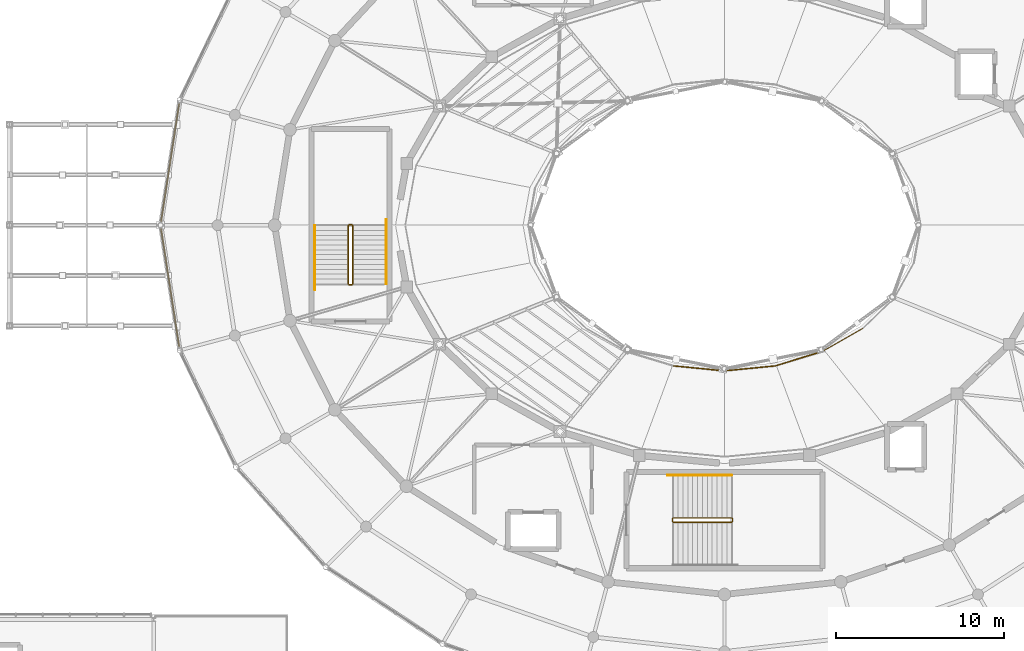
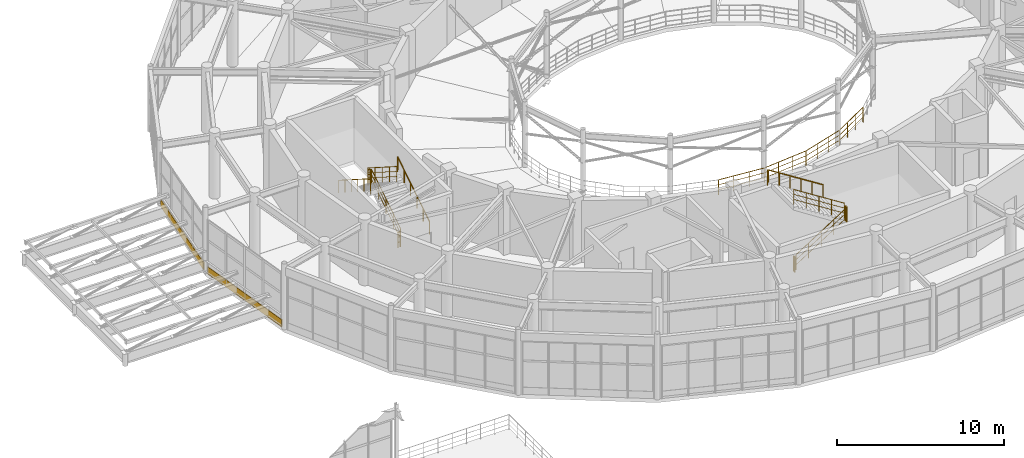
# One storey, part 134 of 144: 15 railings, 2 coverings.
"""IFC4 building model written with IfcOpenShell, lengths in metres."""

from ifc_helpers import new_model, si_unit, direction, frame, origin, origin_2d, place, context, subcontext, project, spatial, rectangle, circle, extrude, material, layer, layer_set, type_object, element, save


model = new_model("IFC4")

# Units and contexts
model_context = context("Model", 3, precision=1e-05, world=origin(), true_north=direction((0.0, 1.0)))
body_context = subcontext(model_context, "Body", "Model", "MODEL_VIEW")
ifc_project = project(units=[si_unit("LENGTHUNIT", "METRE"), si_unit("AREAUNIT", "SQUARE_METRE"), si_unit("VOLUMEUNIT", "CUBIC_METRE"), si_unit("PLANEANGLEUNIT", "RADIAN"), si_unit("MASSUNIT", "GRAM", prefix="KILO")], contexts=[model_context])

# Site, building, storey
site_placement = place(None, origin())
site = spatial("IfcSite", under=ifc_project, at=site_placement, CompositionType="ELEMENT")
building_placement = place(site_placement, origin())
building = spatial("IfcBuilding", under=site, at=building_placement, Name="Cinderbank Siding Concert Hall", CompositionType="ELEMENT")
storey_placement = place(building_placement, frame((0.0, 0.0, 5.39990234375)))
storey = spatial("IfcBuildingStorey", under=building, at=storey_placement, Name="L02", CompositionType="ELEMENT", Elevation=5.39990234375)

# Railings
ifc_material_1 = material(Name="Spotted gum glulam timber GL18 (42 MPa)", Category="wood")
railing_type_1 = type_object("IfcRailingType", Name="BAL-01 Auditorium Tier Balustrade 1120mm", PredefinedType="BALUSTRADE", material=ifc_material_1)
railing_1_placement = place(storey_placement, frame((118.97705078125, 35.61572265625, 0.0)))
element("IfcRailing", 1, at=railing_1_placement, inside=storey, type_object=railing_type_1, Name="L02 Auditorium Circle Balustrade 18", PredefinedType="BALUSTRADE", context=body_context, shape_type="SweptSolid", body=[
    extrude(circle(Radius=0.02392578125, at=origin_2d()), frame((0.0, 0.0, 1.09619140625), z_axis=(0.995251301544, -0.097338824598, 0.0), x_axis=(0.097338824598, 0.995251301544, 0.0)), (0.0, 0.0, 1.0), 3.037353515625),
    extrude(circle(Radius=0.01611328125, at=origin_2d()), frame((0.0, 0.0, 0.36962890625), z_axis=(0.995251301544, -0.097338824598, 0.0), x_axis=(0.097338824598, 0.995251301544, 0.0)), (0.0, 0.0, 1.0), 3.037353515625),
    extrude(circle(Radius=0.01611328125, at=origin_2d()), frame((0.0, 0.0, 0.7392578125), z_axis=(0.995251301544, -0.097338824598, 0.0), x_axis=(0.097338824598, 0.995251301544, 0.0)), (0.0, 0.0, 1.0), 3.037353515625),
    extrude(circle(Radius=0.02099609375, at=origin_2d()), origin(), (0.0, 0.0, 1.0), 1.072021484375),
    extrude(circle(Radius=0.02099609375, at=origin_2d()), frame((1.007568359375, -0.0986328125, 0.0)), (0.0, 0.0, 1.0), 1.072021484375),
    extrude(circle(Radius=0.02099609375, at=origin_2d()), frame((2.015380859375, -0.197021484375, 0.0)), (0.0, 0.0, 1.0), 1.072021484375),
    extrude(circle(Radius=0.02099609375, at=origin_2d()), frame((3.02294921875, -0.295654296875, 0.0)), (0.0, 0.0, 1.0), 1.072021484375),
])
railing_2_placement = place(storey_placement, frame((122.0, 35.320068359375, 0.0)))
element("IfcRailing", 2, at=railing_2_placement, inside=storey, type_object=railing_type_1, Name="L02 Auditorium Circle Balustrade 19", PredefinedType="BALUSTRADE", context=body_context, shape_type="SweptSolid", body=[
    extrude(circle(Radius=0.02392578125, at=origin_2d()), frame((0.0, 0.0, 1.09619140625), z_axis=(0.995251301544, 0.097338824598, 0.0), x_axis=(-0.097338824598, 0.995251301544, 0.0)), (0.0, 0.0, 1.0), 3.037353515625),
    extrude(circle(Radius=0.01611328125, at=origin_2d()), frame((0.0, 0.0, 0.36962890625), z_axis=(0.995251301544, 0.097338824598, 0.0), x_axis=(-0.097338824598, 0.995251301544, 0.0)), (0.0, 0.0, 1.0), 3.037353515625),
    extrude(circle(Radius=0.01611328125, at=origin_2d()), frame((0.0, 0.0, 0.7392578125), z_axis=(0.995251301544, 0.097338824598, 0.0), x_axis=(-0.097338824598, 0.995251301544, 0.0)), (0.0, 0.0, 1.0), 3.037353515625),
    extrude(circle(Radius=0.02099609375, at=origin_2d()), origin(), (0.0, 0.0, 1.0), 1.072021484375),
    extrude(circle(Radius=0.02099609375, at=origin_2d()), frame((1.007568359375, 0.0986328125, 0.0)), (0.0, 0.0, 1.0), 1.072021484375),
    extrude(circle(Radius=0.02099609375, at=origin_2d()), frame((2.015380859375, 0.197021484375, 0.0)), (0.0, 0.0, 1.0), 1.072021484375),
    extrude(circle(Radius=0.02099609375, at=origin_2d()), frame((3.02294921875, 0.295654296875, 0.0)), (0.0, 0.0, 1.0), 1.072021484375),
])
railing_3_placement = place(storey_placement, frame((125.02294921875, 35.61572265625, 0.0)))
element("IfcRailing", 3, at=railing_3_placement, inside=storey, type_object=railing_type_1, Name="L02 Auditorium Circle Balustrade 20", PredefinedType="BALUSTRADE", context=body_context, shape_type="SweptSolid", body=[
    extrude(circle(Radius=0.02392578125, at=origin_2d()), frame((0.0, 0.0, 1.09619140625), z_axis=(0.955743184461, 0.294202252466, 0.0), x_axis=(-0.294202252466, 0.955743184461, 0.0)), (0.0, 0.0, 1.0), 2.947509765625),
    extrude(circle(Radius=0.01611328125, at=origin_2d()), frame((0.0, 0.0, 0.36962890625), z_axis=(0.955743184461, 0.294202252466, 0.0), x_axis=(-0.294202252466, 0.955743184461, 0.0)), (0.0, 0.0, 1.0), 2.947509765625),
    extrude(circle(Radius=0.01611328125, at=origin_2d()), frame((0.0, 0.0, 0.7392578125), z_axis=(0.955743184461, 0.294202252466, 0.0), x_axis=(-0.294202252466, 0.955743184461, 0.0)), (0.0, 0.0, 1.0), 2.947509765625),
    extrude(circle(Radius=0.02099609375, at=origin_2d()), origin(), (0.0, 0.0, 1.0), 1.072021484375),
    extrude(circle(Radius=0.02099609375, at=origin_2d()), frame((0.93896484375, 0.2890625, 0.0)), (0.0, 0.0, 1.0), 1.072021484375),
    extrude(circle(Radius=0.02099609375, at=origin_2d()), frame((1.878173828125, 0.578125, 0.0)), (0.0, 0.0, 1.0), 1.072021484375),
    extrude(circle(Radius=0.02099609375, at=origin_2d()), frame((2.817138671875, 0.8671875, 0.0)), (0.0, 0.0, 1.0), 1.072021484375),
])
railing_4_placement = place(storey_placement, frame((127.840087890625, 36.48291015625, 0.0)))
element("IfcRailing", 4, at=railing_4_placement, inside=storey, type_object=railing_type_1, Name="L02 Auditorium Circle Balustrade 21", PredefinedType="BALUSTRADE", context=body_context, shape_type="SweptSolid", body=[
    extrude(circle(Radius=0.02392578125, at=origin_2d()), frame((0.0, 0.0, 1.09619140625), z_axis=(0.868685219128, 0.495364502228, 0.0), x_axis=(-0.495364502228, 0.868685219128, 0.0)), (0.0, 0.0, 1.0), 2.78466796875),
    extrude(circle(Radius=0.01611328125, at=origin_2d()), frame((0.0, 0.0, 0.36962890625), z_axis=(0.868685219128, 0.495364502228, 0.0), x_axis=(-0.495364502228, 0.868685219128, 0.0)), (0.0, 0.0, 1.0), 2.78466796875),
    extrude(circle(Radius=0.01611328125, at=origin_2d()), frame((0.0, 0.0, 0.7392578125), z_axis=(0.868685219128, 0.495364502228, 0.0), x_axis=(-0.495364502228, 0.868685219128, 0.0)), (0.0, 0.0, 1.0), 2.78466796875),
    extrude(circle(Radius=0.02099609375, at=origin_2d()), origin(), (0.0, 0.0, 1.0), 1.072021484375),
    extrude(circle(Radius=0.02099609375, at=origin_2d()), frame((0.806396484375, 0.459716796875, 0.0)), (0.0, 0.0, 1.0), 1.072021484375),
    extrude(circle(Radius=0.02099609375, at=origin_2d()), frame((1.612548828125, 0.919677734375, 0.0)), (0.0, 0.0, 1.0), 1.072021484375),
    extrude(circle(Radius=0.02099609375, at=origin_2d()), frame((2.4189453125, 1.37939453125, 0.0)), (0.0, 0.0, 1.0), 1.072021484375),
])

# Coverings
ifc_layer = layer(ifc_material_1, 0.06494140625)
ifc_layer_set = layer_set([ifc_layer], Name="Spotted gum glulam timber GL18 (42 MPa)")
covering_type = type_object("IfcCoveringType", Name="CL-01 Spotted Gum Spandrel Band 520mm", PredefinedType="CLADDING", material=ifc_layer_set)
for number, where, z_axis, x_axis, name in (
    (5, (88.972412109375, 47.72705078125, 0.0), (0.0, 0.0, 1.0), (-0.151815048473, -0.988408918949, 0.0), "CW-L02-012 Spotted Gum Spandrel Band"),
    (6, (88.972412109375, 40.27294921875, 0.0), (0.0, 0.0, 1.0), (0.151815048473, -0.988408918949, 0.0), "CW-L02-013 Spotted Gum Spandrel Band"),
):
    element("IfcCovering", number, at=place(storey_placement, frame(where, z_axis=z_axis, x_axis=x_axis)), inside=storey, type_object=covering_type, Name=name, PredefinedType="CLADDING", context=body_context, shape_type="SweptSolid", body=[
        extrude(rectangle(XDim=7.08740234375, YDim=0.06494140625, at=origin_2d()), origin(), (0.0, 0.0, 1.0), 0.52001953125),
    ])

# Railings
ifc_material_2 = material(Name="Structural steel AS/NZS 3679.1 Grade 350 (340 MPa)", Category="steel")
railing_type_2 = type_object("IfcRailingType", Name="STG-01 Stair Well Guardrail 1120mm", PredefinedType="GUARDRAIL", material=ifc_material_2)
railing_5_placement = place(storey_placement, frame((118.949951171875, 26.300048828125, 0.184814453125)))
element("IfcRailing", 7, at=railing_5_placement, inside=storey, type_object=railing_type_2, Name="L02 ST-02 stair guard 1", PredefinedType="GUARDRAIL", context=body_context, shape_type="SweptSolid", body=[
    extrude(circle(Radius=0.02392578125, at=origin_2d()), frame((0.0, 0.0, 1.09619140625), z_axis=(0.843573748531, 0.0, 0.537013343214), x_axis=(0.0, 1.0, 0.0)), (0.0, 0.0, 1.0), 4.125244140625),
    extrude(circle(Radius=0.01611328125, at=origin_2d()), frame((0.0, 0.0, 0.36962890625), z_axis=(0.843573748531, 0.0, 0.537013343214), x_axis=(0.0, 1.0, 0.0)), (0.0, 0.0, 1.0), 4.125244140625),
    extrude(circle(Radius=0.01611328125, at=origin_2d()), frame((0.0, 0.0, 0.7392578125), z_axis=(0.843573748531, 0.0, 0.537013343214), x_axis=(0.0, 1.0, 0.0)), (0.0, 0.0, 1.0), 4.125244140625),
    extrude(circle(Radius=0.02099609375, at=origin_2d()), origin(), (0.0, 0.0, 1.0), 1.072021484375),
    extrude(circle(Radius=0.02099609375, at=origin_2d()), frame((0.8701171875, 0.0, 0.5537109375)), (0.0, 0.0, 1.0), 1.072021484375),
    extrude(circle(Radius=0.02099609375, at=origin_2d()), frame((1.739990234375, 0.0, 1.107666015625)), (0.0, 0.0, 1.0), 1.072021484375),
    extrude(circle(Radius=0.02099609375, at=origin_2d()), frame((2.60986328125, 0.0, 1.66162109375)), (0.0, 0.0, 1.0), 1.072021484375),
    extrude(circle(Radius=0.02099609375, at=origin_2d()), frame((3.47998046875, 0.0, 2.21533203125)), (0.0, 0.0, 1.0), 1.072021484375),
])
railing_6_placement = place(storey_placement, frame((122.47998046875, 26.35009765625, 2.400146484375)))
element("IfcRailing", 8, at=railing_6_placement, inside=storey, type_object=railing_type_2, Name="L02 ST-02 stair guard 2", PredefinedType="GUARDRAIL", context=body_context, shape_type="SweptSolid", body=[
    extrude(circle(Radius=0.02392578125, at=origin_2d()), frame((0.0, 0.0, 1.09619140625), z_axis=(0.0, 1.0, 0.0), x_axis=(-1.0, 0.0, 0.0)), (0.0, 0.0, 1.0), 0.159912109375),
    extrude(circle(Radius=0.01611328125, at=origin_2d()), frame((0.0, 0.0, 0.36962890625), z_axis=(0.0, 1.0, 0.0), x_axis=(-1.0, 0.0, 0.0)), (0.0, 0.0, 1.0), 0.159912109375),
    extrude(circle(Radius=0.01611328125, at=origin_2d()), frame((0.0, 0.0, 0.7392578125), z_axis=(0.0, 1.0, 0.0), x_axis=(-1.0, 0.0, 0.0)), (0.0, 0.0, 1.0), 0.159912109375),
    extrude(circle(Radius=0.02099609375, at=origin_2d()), origin(), (0.0, 0.0, 1.0), 1.072021484375),
    extrude(circle(Radius=0.02099609375, at=origin_2d()), frame((0.0, 0.159912109375, 0.0)), (0.0, 0.0, 1.0), 1.072021484375),
])
railing_7_placement = place(storey_placement, frame((122.429931640625, 26.56005859375, 2.584716796875)))
element("IfcRailing", 9, at=railing_7_placement, inside=storey, type_object=railing_type_2, Name="L02 ST-02 stair guard 3", PredefinedType="GUARDRAIL", context=body_context, shape_type="SweptSolid", body=[
    extrude(circle(Radius=0.02392578125, at=origin_2d()), frame((0.0, 0.0, 1.09619140625), z_axis=(-0.843573748531, 0.0, 0.537013343214), x_axis=(0.0, -1.0, 0.0)), (0.0, 0.0, 1.0), 4.125244140625),
    extrude(circle(Radius=0.01611328125, at=origin_2d()), frame((0.0, 0.0, 0.36962890625), z_axis=(-0.843573748531, 0.0, 0.537013343214), x_axis=(0.0, -1.0, 0.0)), (0.0, 0.0, 1.0), 4.125244140625),
    extrude(circle(Radius=0.01611328125, at=origin_2d()), frame((0.0, 0.0, 0.7392578125), z_axis=(-0.843573748531, 0.0, 0.537013343214), x_axis=(0.0, -1.0, 0.0)), (0.0, 0.0, 1.0), 4.125244140625),
    extrude(circle(Radius=0.02099609375, at=origin_2d()), origin(), (0.0, 0.0, 1.0), 1.072021484375),
    extrude(circle(Radius=0.02099609375, at=origin_2d()), frame((-0.8701171875, 0.0, 0.5537109375)), (0.0, 0.0, 1.0), 1.072021484375),
    extrude(circle(Radius=0.02099609375, at=origin_2d()), frame((-1.739990234375, 0.0, 1.107666015625)), (0.0, 0.0, 1.0), 1.072021484375),
    extrude(circle(Radius=0.02099609375, at=origin_2d()), frame((-2.60986328125, 0.0, 1.66162109375)), (0.0, 0.0, 1.0), 1.072021484375),
    extrude(circle(Radius=0.02099609375, at=origin_2d()), frame((-3.47998046875, 0.0, 2.21533203125)), (0.0, 0.0, 1.0), 1.072021484375),
])
railing_8_placement = place(storey_placement, frame((118.89990234375, 26.35009765625, 0.0)))
element("IfcRailing", 10, at=railing_8_placement, inside=storey, type_object=railing_type_2, Name="L02 ST-02 stair guard 4", PredefinedType="GUARDRAIL", context=body_context, shape_type="SweptSolid", body=[
    extrude(circle(Radius=0.02392578125, at=origin_2d()), frame((0.0, 0.0, 1.09619140625), z_axis=(0.0, 1.0, 0.0), x_axis=(-1.0, 0.0, 0.0)), (0.0, 0.0, 1.0), 0.159912109375),
    extrude(circle(Radius=0.01611328125, at=origin_2d()), frame((0.0, 0.0, 0.36962890625), z_axis=(0.0, 1.0, 0.0), x_axis=(-1.0, 0.0, 0.0)), (0.0, 0.0, 1.0), 0.159912109375),
    extrude(circle(Radius=0.01611328125, at=origin_2d()), frame((0.0, 0.0, 0.7392578125), z_axis=(0.0, 1.0, 0.0), x_axis=(-1.0, 0.0, 0.0)), (0.0, 0.0, 1.0), 0.159912109375),
    extrude(circle(Radius=0.02099609375, at=origin_2d()), origin(), (0.0, 0.0, 1.0), 1.072021484375),
    extrude(circle(Radius=0.02099609375, at=origin_2d()), frame((0.0, 0.159912109375, 0.0)), (0.0, 0.0, 1.0), 1.072021484375),
])
railing_9_placement = place(storey_placement, frame((99.85009765625, 40.5, 0.184814453125)))
element("IfcRailing", 11, at=railing_9_placement, inside=storey, type_object=railing_type_2, Name="L02 ST-04 stair guard 1", PredefinedType="GUARDRAIL", context=body_context, shape_type="SweptSolid", body=[
    extrude(circle(Radius=0.02392578125, at=origin_2d()), frame((0.0, 0.0, 1.09619140625), z_axis=(0.0, 0.843573748531, 0.537013343214), x_axis=(-1.0, 0.0, 0.0)), (0.0, 0.0, 1.0), 4.125244140625),
    extrude(circle(Radius=0.01611328125, at=origin_2d()), frame((0.0, 0.0, 0.36962890625), z_axis=(0.0, 0.843573748531, 0.537013343214), x_axis=(-1.0, 0.0, 0.0)), (0.0, 0.0, 1.0), 4.125244140625),
    extrude(circle(Radius=0.01611328125, at=origin_2d()), frame((0.0, 0.0, 0.7392578125), z_axis=(0.0, 0.843573748531, 0.537013343214), x_axis=(-1.0, 0.0, 0.0)), (0.0, 0.0, 1.0), 4.125244140625),
    extrude(circle(Radius=0.02099609375, at=origin_2d()), origin(), (0.0, 0.0, 1.0), 1.072021484375),
    extrude(circle(Radius=0.02099609375, at=origin_2d()), frame((0.0, 0.8701171875, 0.5537109375)), (0.0, 0.0, 1.0), 1.072021484375),
    extrude(circle(Radius=0.02099609375, at=origin_2d()), frame((0.0, 1.739990234375, 1.107666015625)), (0.0, 0.0, 1.0), 1.072021484375),
    extrude(circle(Radius=0.02099609375, at=origin_2d()), frame((0.0, 2.60986328125, 1.66162109375)), (0.0, 0.0, 1.0), 1.072021484375),
    extrude(circle(Radius=0.02099609375, at=origin_2d()), frame((0.0, 3.47998046875, 2.21533203125)), (0.0, 0.0, 1.0), 1.072021484375),
])
railing_10_placement = place(storey_placement, frame((99.800048828125, 44.030029296875, 2.400146484375)))
element("IfcRailing", 12, at=railing_10_placement, inside=storey, type_object=railing_type_2, Name="L02 ST-04 stair guard 2", PredefinedType="GUARDRAIL", context=body_context, shape_type="SweptSolid", body=[
    extrude(circle(Radius=0.02392578125, at=origin_2d()), frame((0.0, 0.0, 1.09619140625), z_axis=(-1.0, 0.0, 0.0), x_axis=(0.0, -1.0, 0.0)), (0.0, 0.0, 1.0), 0.16015625),
    extrude(circle(Radius=0.01611328125, at=origin_2d()), frame((0.0, 0.0, 0.36962890625), z_axis=(-1.0, 0.0, 0.0), x_axis=(0.0, -1.0, 0.0)), (0.0, 0.0, 1.0), 0.16015625),
    extrude(circle(Radius=0.01611328125, at=origin_2d()), frame((0.0, 0.0, 0.7392578125), z_axis=(-1.0, 0.0, 0.0), x_axis=(0.0, -1.0, 0.0)), (0.0, 0.0, 1.0), 0.16015625),
    extrude(circle(Radius=0.02099609375, at=origin_2d()), origin(), (0.0, 0.0, 1.0), 1.072021484375),
    extrude(circle(Radius=0.02099609375, at=origin_2d()), frame((-0.16015625, 0.0, 0.0)), (0.0, 0.0, 1.0), 1.072021484375),
])
railing_11_placement = place(storey_placement, frame((99.590087890625, 43.97998046875, 2.584716796875)))
element("IfcRailing", 13, at=railing_11_placement, inside=storey, type_object=railing_type_2, Name="L02 ST-04 stair guard 3", PredefinedType="GUARDRAIL", context=body_context, shape_type="SweptSolid", body=[
    extrude(circle(Radius=0.02392578125, at=origin_2d()), frame((0.0, 0.0, 1.09619140625), z_axis=(0.0, -0.843573748531, 0.537013343214), x_axis=(1.0, 0.0, 0.0)), (0.0, 0.0, 1.0), 4.125244140625),
    extrude(circle(Radius=0.01611328125, at=origin_2d()), frame((0.0, 0.0, 0.36962890625), z_axis=(0.0, -0.843573748531, 0.537013343214), x_axis=(1.0, 0.0, 0.0)), (0.0, 0.0, 1.0), 4.125244140625),
    extrude(circle(Radius=0.01611328125, at=origin_2d()), frame((0.0, 0.0, 0.7392578125), z_axis=(0.0, -0.843573748531, 0.537013343214), x_axis=(1.0, 0.0, 0.0)), (0.0, 0.0, 1.0), 4.125244140625),
    extrude(circle(Radius=0.02099609375, at=origin_2d()), origin(), (0.0, 0.0, 1.0), 1.072021484375),
    extrude(circle(Radius=0.02099609375, at=origin_2d()), frame((0.0, -0.8701171875, 0.5537109375)), (0.0, 0.0, 1.0), 1.072021484375),
    extrude(circle(Radius=0.02099609375, at=origin_2d()), frame((0.0, -1.739990234375, 1.107666015625)), (0.0, 0.0, 1.0), 1.072021484375),
    extrude(circle(Radius=0.02099609375, at=origin_2d()), frame((0.0, -2.60986328125, 1.66162109375)), (0.0, 0.0, 1.0), 1.072021484375),
    extrude(circle(Radius=0.02099609375, at=origin_2d()), frame((0.0, -3.47998046875, 2.21533203125)), (0.0, 0.0, 1.0), 1.072021484375),
])
railing_12_placement = place(storey_placement, frame((99.800048828125, 40.449951171875, 0.0)))
element("IfcRailing", 14, at=railing_12_placement, inside=storey, type_object=railing_type_2, Name="L02 ST-04 stair guard 4", PredefinedType="GUARDRAIL", context=body_context, shape_type="SweptSolid", body=[
    extrude(circle(Radius=0.02392578125, at=origin_2d()), frame((0.0, 0.0, 1.09619140625), z_axis=(-1.0, 0.0, 0.0), x_axis=(0.0, -1.0, 0.0)), (0.0, 0.0, 1.0), 0.16015625),
    extrude(circle(Radius=0.01611328125, at=origin_2d()), frame((0.0, 0.0, 0.36962890625), z_axis=(-1.0, 0.0, 0.0), x_axis=(0.0, -1.0, 0.0)), (0.0, 0.0, 1.0), 0.16015625),
    extrude(circle(Radius=0.01611328125, at=origin_2d()), frame((0.0, 0.0, 0.7392578125), z_axis=(-1.0, 0.0, 0.0), x_axis=(0.0, -1.0, 0.0)), (0.0, 0.0, 1.0), 0.16015625),
    extrude(circle(Radius=0.02099609375, at=origin_2d()), origin(), (0.0, 0.0, 1.0), 1.072021484375),
    extrude(circle(Radius=0.02099609375, at=origin_2d()), frame((-0.16015625, 0.0, 0.0)), (0.0, 0.0, 1.0), 1.072021484375),
])
railing_type_3 = type_object("IfcRailingType", Name="STH-01 Stair Pitch Handrail 920mm", PredefinedType="HANDRAIL", material=ifc_material_2)
railing_13_placement = place(storey_placement, frame((122.429931640625, 29.110107421875, 2.584716796875)))
element("IfcRailing", 15, at=railing_13_placement, inside=storey, type_object=railing_type_3, Name="L02 ST-02 stair handrail 2", PredefinedType="HANDRAIL", context=body_context, shape_type="SweptSolid", body=[
    extrude(circle(Radius=0.02392578125, at=origin_2d()), frame((0.0, 0.0, 0.89599609375), z_axis=(-0.843580498726, 0.0, 0.537002739443), x_axis=(0.0, -1.0, 0.0)), (0.0, 0.0, 1.0), 4.468994140625),
    extrude(circle(Radius=0.02392578125, at=origin_2d()), frame((-3.77001953125, 0.0, 3.2958984375), z_axis=(-1.0, 0.0, 0.0), x_axis=(0.0, -1.0, 0.0)), (0.0, 0.0, 1.0), 0.059814453125),
    extrude(circle(Radius=0.02099609375, at=origin_2d()), origin(), (0.0, 0.0, 1.0), 0.871826171875),
    extrude(circle(Radius=0.02099609375, at=origin_2d()), frame((-0.75390625, 0.0, 0.47998046875)), (0.0, 0.0, 1.0), 0.871826171875),
    extrude(circle(Radius=0.02099609375, at=origin_2d()), frame((-1.508056640625, 0.0, 0.9599609375)), (0.0, 0.0, 1.0), 0.871826171875),
    extrude(circle(Radius=0.02099609375, at=origin_2d()), frame((-2.261962890625, 0.0, 1.43994140625)), (0.0, 0.0, 1.0), 0.871826171875),
    extrude(circle(Radius=0.02099609375, at=origin_2d()), frame((-3.01611328125, 0.0, 1.919921875)), (0.0, 0.0, 1.0), 0.871826171875),
    extrude(circle(Radius=0.02099609375, at=origin_2d()), frame((-3.77001953125, 0.0, 2.39990234375)), (0.0, 0.0, 1.0), 0.871826171875),
    extrude(circle(Radius=0.02099609375, at=origin_2d()), frame((-3.829833984375, 0.0, 2.21533203125)), (0.0, 0.0, 1.0), 1.056396484375),
])
railing_14_placement = place(storey_placement, frame((101.85009765625, 40.5, 0.184814453125)))
element("IfcRailing", 16, at=railing_14_placement, inside=storey, type_object=railing_type_3, Name="L02 ST-04 stair handrail 1", PredefinedType="HANDRAIL", context=body_context, shape_type="SweptSolid", body=[
    extrude(circle(Radius=0.02392578125, at=origin_2d()), frame((0.0, 0.0, 0.89599609375), z_axis=(0.0, 0.843580498726, 0.537002739443), x_axis=(-1.0, 0.0, 0.0)), (0.0, 0.0, 1.0), 4.468994140625),
    extrude(circle(Radius=0.02392578125, at=origin_2d()), frame((0.0, 3.77001953125, 3.2958984375), z_axis=(0.0, 1.0, 0.0), x_axis=(-1.0, 0.0, 0.0)), (0.0, 0.0, 1.0), 0.06005859375),
    extrude(circle(Radius=0.02099609375, at=origin_2d()), origin(), (0.0, 0.0, 1.0), 0.871826171875),
    extrude(circle(Radius=0.02099609375, at=origin_2d()), frame((0.0, 0.75390625, 0.47998046875)), (0.0, 0.0, 1.0), 0.871826171875),
    extrude(circle(Radius=0.02099609375, at=origin_2d()), frame((0.0, 1.508056640625, 0.9599609375)), (0.0, 0.0, 1.0), 0.871826171875),
    extrude(circle(Radius=0.02099609375, at=origin_2d()), frame((0.0, 2.261962890625, 1.43994140625)), (0.0, 0.0, 1.0), 0.871826171875),
    extrude(circle(Radius=0.02099609375, at=origin_2d()), frame((0.0, 3.01611328125, 1.919921875)), (0.0, 0.0, 1.0), 0.871826171875),
    extrude(circle(Radius=0.02099609375, at=origin_2d()), frame((0.0, 3.77001953125, 2.39990234375)), (0.0, 0.0, 1.0), 0.871826171875),
    extrude(circle(Radius=0.02099609375, at=origin_2d()), frame((0.0, 3.830078125, 2.21533203125)), (0.0, 0.0, 1.0), 1.056396484375),
])
railing_15_placement = place(storey_placement, frame((97.590087890625, 43.97998046875, 2.584716796875)))
element("IfcRailing", 17, at=railing_15_placement, inside=storey, type_object=railing_type_3, Name="L02 ST-04 stair handrail 2", PredefinedType="HANDRAIL", context=body_context, shape_type="SweptSolid", body=[
    extrude(circle(Radius=0.02392578125, at=origin_2d()), frame((0.0, 0.0, 0.89599609375), z_axis=(0.0, -0.843580498726, 0.537002739443), x_axis=(1.0, 0.0, 0.0)), (0.0, 0.0, 1.0), 4.468994140625),
    extrude(circle(Radius=0.02392578125, at=origin_2d()), frame((0.0, -3.77001953125, 3.2958984375), z_axis=(0.0, -1.0, 0.0), x_axis=(1.0, 0.0, 0.0)), (0.0, 0.0, 1.0), 0.06005859375),
    extrude(circle(Radius=0.02099609375, at=origin_2d()), origin(), (0.0, 0.0, 1.0), 0.871826171875),
    extrude(circle(Radius=0.02099609375, at=origin_2d()), frame((0.0, -0.75390625, 0.47998046875)), (0.0, 0.0, 1.0), 0.871826171875),
    extrude(circle(Radius=0.02099609375, at=origin_2d()), frame((0.0, -1.508056640625, 0.9599609375)), (0.0, 0.0, 1.0), 0.871826171875),
    extrude(circle(Radius=0.02099609375, at=origin_2d()), frame((0.0, -2.261962890625, 1.43994140625)), (0.0, 0.0, 1.0), 0.871826171875),
    extrude(circle(Radius=0.02099609375, at=origin_2d()), frame((0.0, -3.01611328125, 1.919921875)), (0.0, 0.0, 1.0), 0.871826171875),
    extrude(circle(Radius=0.02099609375, at=origin_2d()), frame((0.0, -3.77001953125, 2.39990234375)), (0.0, 0.0, 1.0), 0.871826171875),
    extrude(circle(Radius=0.02099609375, at=origin_2d()), frame((0.0, -3.830078125, 2.21533203125)), (0.0, 0.0, 1.0), 1.056396484375),
])

save(model, "model.ifc")
